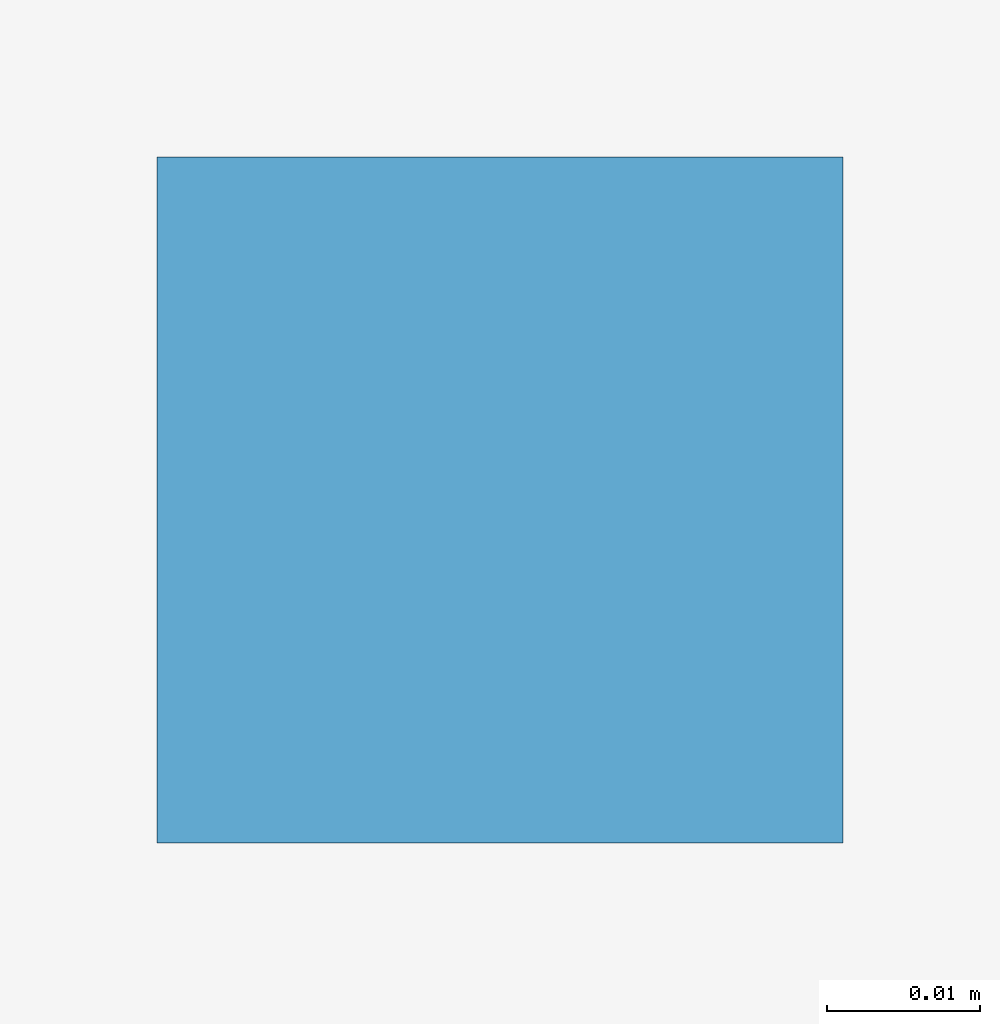
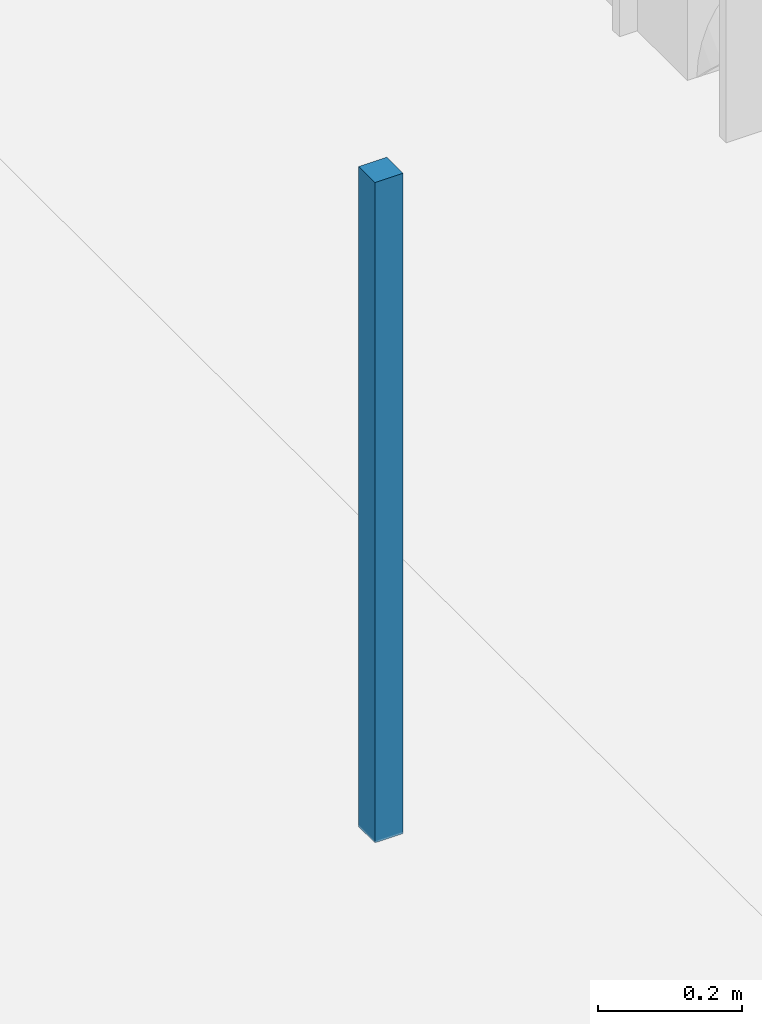
# One storey, part 122 of 140: 1 discrete accessory.
"""IFC4 building model written with IfcOpenShell, lengths in metres."""

from ifc_helpers import new_model, si_unit, direction, frame, origin, origin_2d, place, context, subcontext, project, spatial, rectangle, extrude, material, type_object, element, save


model = new_model("IFC4")

# Units and contexts
model_context = context("Model", 3, precision=1e-05, world=origin(), true_north=direction((0.0, 1.0)))
body_context = subcontext(model_context, "Body", "Model", "MODEL_VIEW")
ifc_project = project(units=[si_unit("LENGTHUNIT", "METRE"), si_unit("AREAUNIT", "SQUARE_METRE"), si_unit("VOLUMEUNIT", "CUBIC_METRE"), si_unit("PLANEANGLEUNIT", "RADIAN"), si_unit("MASSUNIT", "GRAM", prefix="KILO"), si_unit("THERMODYNAMICTEMPERATUREUNIT", "KELVIN"), si_unit("POWERUNIT", "WATT")], contexts=[model_context])

# Site, building, storey
site_placement = place(None, origin())
site = spatial("IfcSite", under=ifc_project, at=site_placement, CompositionType="ELEMENT")
building_placement = place(site_placement, origin())
building = spatial("IfcBuilding", under=site, at=building_placement, Name="Tallowbark Science Centre", CompositionType="ELEMENT")
storey_placement = place(building_placement, frame((0.0, 0.0, 9.89990234375)))
storey = spatial("IfcBuildingStorey", under=building, at=storey_placement, Name="L02", CompositionType="ELEMENT", Elevation=9.89990234375)

# Discrete accessory
ifc_material = material(Name="Galvanised Steel Grade C350L0 (350 MPa)", Category="steel")
discrete_accessory_type = type_object("IfcDiscreteAccessoryType", Name="ACC-CLG-HNG", PredefinedType="BRACKET", material=ifc_material)
discrete_accessory_placement = place(storey_placement, frame((153.8125, 75.6787109375, 3.2060546875), z_axis=(0.0, 0.0, 1.0), x_axis=(1.0, 0.0, 0.0)))
element("IfcDiscreteAccessory", 1, at=discrete_accessory_placement, inside=storey, type_object=discrete_accessory_type, Name="Ceiling Hanger Bracket L02-939", PredefinedType="BRACKET", context=body_context, shape_type="SweptSolid", body=[
    extrude(rectangle(XDim=0.044921875, YDim=0.044921875, at=origin_2d()), origin(), (0.0, 0.0, 1.0), 1.116943359375),
])

save(model, "model.ifc")
